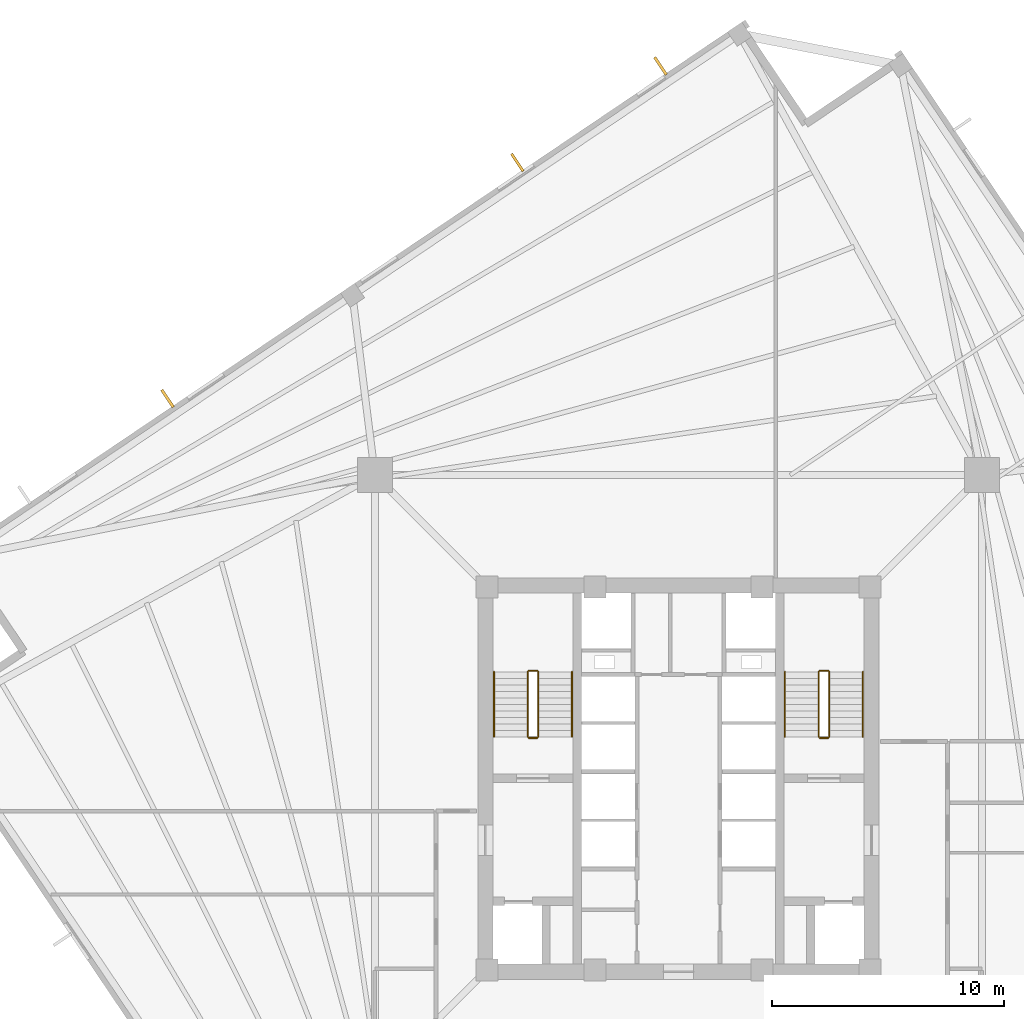
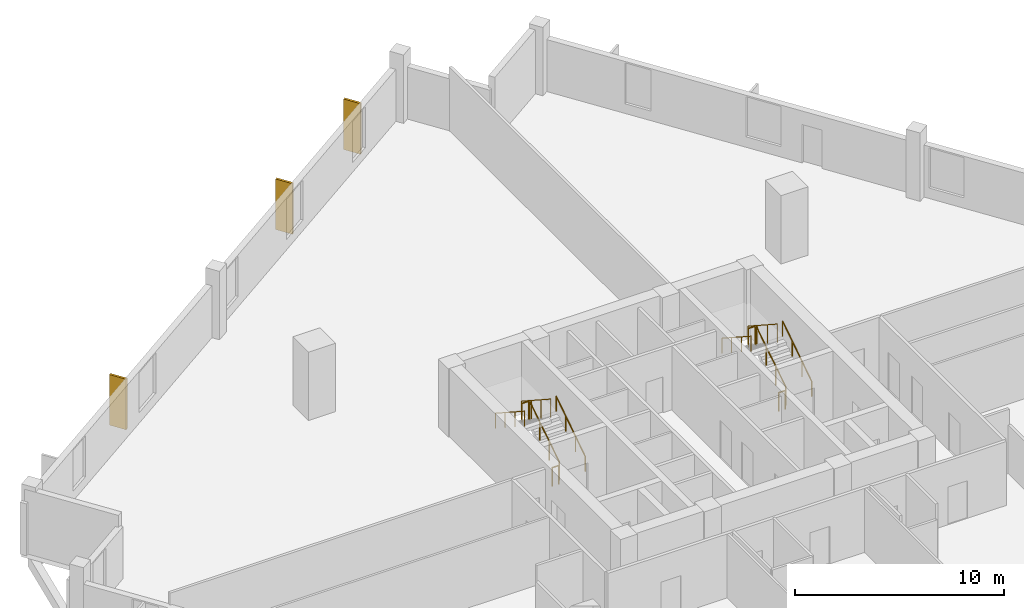
# One storey, part 8 of 9: 12 railings, 3 coverings.
"""IFC4 building model written with IfcOpenShell, lengths in metres."""

from ifc_helpers import new_model, si_unit, direction, frame, origin, origin_2d, place, context, subcontext, project, spatial, rectangle, circle, extrude, source, transform, mapped, material, layer, layer_set, type_object, element, save


model = new_model("IFC4")

# Units and contexts
model_context = context("Model", 3, precision=1e-05, world=origin(), true_north=direction((0.0, 1.0)))
body_context = subcontext(model_context, "Body", "Model", "MODEL_VIEW")
ifc_project = project(units=[si_unit("LENGTHUNIT", "METRE"), si_unit("AREAUNIT", "SQUARE_METRE"), si_unit("VOLUMEUNIT", "CUBIC_METRE"), si_unit("PLANEANGLEUNIT", "RADIAN"), si_unit("MASSUNIT", "GRAM", prefix="KILO"), si_unit("THERMODYNAMICTEMPERATUREUNIT", "KELVIN")], contexts=[model_context])

# Site, building, storey
site_placement = place(None, origin())
site = spatial("IfcSite", under=ifc_project, at=site_placement, CompositionType="ELEMENT")
building_placement = place(site_placement, origin())
building = spatial("IfcBuilding", under=site, at=building_placement, Name="Kosmvard Interchange Tower", CompositionType="ELEMENT")
storey_placement = place(building_placement, frame((0.0, 0.0, 168.39990234375)))
storey = spatial("IfcBuildingStorey", under=building, at=storey_placement, Name="L40", CompositionType="ELEMENT", Elevation=168.39990234375)

# Coverings
ifc_material_1 = material(Name="Architectural anodised aluminium", Category="aluminium")
ifc_layer = layer(ifc_material_1, 0.1201171875, Name="Architectural anodised aluminium")
ifc_layer_set = layer_set([ifc_layer], Name="Architectural anodised aluminium")
covering_type = type_object("IfcCoveringType", Name="Rotating Vertical Sun-Breaker Fin 900x120 Aluminium", PredefinedType="CLADDING", material=ifc_layer_set)
shared_shape_1 = source(origin(), body_context, "Body", "SweptSolid", [
    extrude(rectangle(XDim=0.89990234375, YDim=0.1201171875, at=origin_2d()), origin(), (0.0, 0.0, 1.0), 2.9599609375),
])
for number, where, z_axis, x_axis, name in (
    (1, (-0.774169921875, 30.718994140625, 0.0400390625), (0.0, 0.0, 1.0), (-0.555860436814, 0.831275631055, 0.0), "L40 Rotating Vertical Sun-Breaker Fin 09"),
    (2, (-6.943115234375, 26.557861328125, 0.0400390625), (0.0, 0.0, 1.0), (-0.555860436814, 0.831275631055, 0.0), "L40 Rotating Vertical Sun-Breaker Fin 10"),
    (3, (-22.02294921875, 16.38623046875, 0.0400390625), (0.0, 0.0, 1.0), (-0.555860436814, 0.831275631055, 0.0), "L40 Rotating Vertical Sun-Breaker Fin 11"),
):
    element("IfcCovering", number, at=place(storey_placement, frame(where, z_axis=z_axis, x_axis=x_axis)), inside=storey, type_object=covering_type, Name=name, PredefinedType="CLADDING", context=body_context, shape_type="MappedRepresentation", body=[
        mapped(shared_shape_1, transform((0.0, 0.0, 0.0), scale=1.0)),
    ])

# Railings
ifc_material_2 = material(Name="Steel S355", Category="steel")
railing_type_1 = type_object("IfcRailingType", Name="Stair & Terrace Safety Guardrail 1100 Steel", PredefinedType="GUARDRAIL", material=ifc_material_2)
shared_shape_2 = source(origin(), body_context, "Body", "SweptSolid", [
    extrude(circle(Radius=0.02392578125, at=origin_2d()), frame((0.0, 0.0, 1.076171875), z_axis=(-1.0, 0.0, 0.0), x_axis=(0.0, -1.0, 0.0)), (0.0, 0.0, 1.0), 0.35986328125),
    extrude(circle(Radius=0.02099609375, at=origin_2d()), origin(), (0.0, 0.0, 1.0), 1.052001953125),
    extrude(circle(Radius=0.02099609375, at=origin_2d()), frame((-0.35986328125, 0.0, 0.0)), (0.0, 0.0, 1.0), 1.052001953125),
])
for number, where, name in (
    (4, (-6.090087890625, 4.64990234375, 2.0), "L40 ST-1 stair guard 2"),
    (5, (-6.090087890625, 1.75, 0.0), "L40 ST-1 stair guard 4"),
    (6, (6.449951171875, 4.64990234375, 2.0), "L40 ST-2 stair guard 2"),
    (7, (6.449951171875, 1.75, 0.0), "L40 ST-2 stair guard 4"),
):
    element("IfcRailing", number, at=place(storey_placement, frame(where)), inside=storey, type_object=railing_type_1, Name=name, PredefinedType="GUARDRAIL", context=body_context, shape_type="MappedRepresentation", body=[
        mapped(shared_shape_2, transform((0.0, 0.0, 0.0), scale=1.0)),
    ])
shared_shape_3 = source(origin(), body_context, "Body", "SweptSolid", [
    extrude(circle(Radius=0.02392578125, at=origin_2d()), frame((0.0, 0.0, 1.076171875), z_axis=(0.0, 0.838705829183, 0.544584733623), x_axis=(-1.0, 0.0, 0.0)), (0.0, 0.0, 1.0), 3.338623046875),
    extrude(circle(Radius=0.02099609375, at=origin_2d()), origin(), (0.0, 0.0, 1.0), 1.052001953125),
    extrude(circle(Radius=0.02099609375, at=origin_2d()), frame((0.0, 0.933349609375, 0.60595703125)), (0.0, 0.0, 1.0), 1.052001953125),
    extrude(circle(Radius=0.02099609375, at=origin_2d()), frame((0.0, 1.86669921875, 1.212158203125)), (0.0, 0.0, 1.0), 1.052001953125),
    extrude(circle(Radius=0.02099609375, at=origin_2d()), frame((0.0, 2.800048828125, 1.818115234375)), (0.0, 0.0, 1.0), 1.052001953125),
])
for number, where, name in (
    (8, (-6.0400390625, 1.800048828125, 0.181884765625), "L40 ST-1 stair guard 1"),
    (9, (6.5, 1.800048828125, 0.181884765625), "L40 ST-2 stair guard 1"),
):
    element("IfcRailing", number, at=place(storey_placement, frame(where)), inside=storey, type_object=railing_type_1, Name=name, PredefinedType="GUARDRAIL", context=body_context, shape_type="MappedRepresentation", body=[
        mapped(shared_shape_3, transform((0.0, 0.0, 0.0), scale=1.0)),
    ])
shared_shape_4 = source(origin(), body_context, "Body", "SweptSolid", [
    extrude(circle(Radius=0.02392578125, at=origin_2d()), frame((0.0, 0.0, 1.076171875), z_axis=(0.0, -0.838705829183, 0.544584733623), x_axis=(1.0, 0.0, 0.0)), (0.0, 0.0, 1.0), 3.338623046875),
    extrude(circle(Radius=0.02099609375, at=origin_2d()), origin(), (0.0, 0.0, 1.0), 1.052001953125),
    extrude(circle(Radius=0.02099609375, at=origin_2d()), frame((0.0, -0.933349609375, 0.60595703125)), (0.0, 0.0, 1.0), 1.052001953125),
    extrude(circle(Radius=0.02099609375, at=origin_2d()), frame((0.0, -1.86669921875, 1.212158203125)), (0.0, 0.0, 1.0), 1.052001953125),
    extrude(circle(Radius=0.02099609375, at=origin_2d()), frame((0.0, -2.800048828125, 1.818115234375)), (0.0, 0.0, 1.0), 1.052001953125),
])
for number, where, name in (
    (10, (-6.5, 4.60009765625, 2.181884765625), "L40 ST-1 stair guard 3"),
    (11, (6.0400390625, 4.60009765625, 2.181884765625), "L40 ST-2 stair guard 3"),
):
    element("IfcRailing", number, at=place(storey_placement, frame(where)), inside=storey, type_object=railing_type_1, Name=name, PredefinedType="GUARDRAIL", context=body_context, shape_type="MappedRepresentation", body=[
        mapped(shared_shape_4, transform((0.0, 0.0, 0.0), scale=1.0)),
    ])
railing_type_2 = type_object("IfcRailingType", Name="Wall-Mounted Stair Handrail 900 Steel", PredefinedType="HANDRAIL", material=ifc_material_2)
shared_shape_5 = source(origin(), body_context, "Body", "SweptSolid", [
    extrude(circle(Radius=0.02392578125, at=origin_2d()), frame((0.0, 0.0, 0.8759765625), z_axis=(0.0, 0.838705829183, 0.544584733623), x_axis=(-1.0, 0.0, 0.0)), (0.0, 0.0, 1.0), 3.338623046875),
    extrude(circle(Radius=0.02099609375, at=origin_2d()), origin(), (0.0, 0.0, 1.0), 0.851806640625),
    extrude(circle(Radius=0.02099609375, at=origin_2d()), frame((0.0, 0.933349609375, 0.60595703125)), (0.0, 0.0, 1.0), 0.851806640625),
    extrude(circle(Radius=0.02099609375, at=origin_2d()), frame((0.0, 1.86669921875, 1.212158203125)), (0.0, 0.0, 1.0), 0.851806640625),
    extrude(circle(Radius=0.02099609375, at=origin_2d()), frame((0.0, 2.800048828125, 1.818115234375)), (0.0, 0.0, 1.0), 0.851806640625),
])
for number, where, name in (
    (12, (-4.590087890625, 1.800048828125, 0.181884765625), "L40 ST-1 stair handrail 1"),
    (13, (7.949951171875, 1.800048828125, 0.181884765625), "L40 ST-2 stair handrail 1"),
):
    element("IfcRailing", number, at=place(storey_placement, frame(where)), inside=storey, type_object=railing_type_2, Name=name, PredefinedType="HANDRAIL", context=body_context, shape_type="MappedRepresentation", body=[
        mapped(shared_shape_5, transform((0.0, 0.0, 0.0), scale=1.0)),
    ])
shared_shape_6 = source(origin(), body_context, "Body", "SweptSolid", [
    extrude(circle(Radius=0.02392578125, at=origin_2d()), frame((0.0, 0.0, 0.8759765625), z_axis=(0.0, -0.838705829183, 0.544584733623), x_axis=(1.0, 0.0, 0.0)), (0.0, 0.0, 1.0), 3.338623046875),
    extrude(circle(Radius=0.02099609375, at=origin_2d()), origin(), (0.0, 0.0, 1.0), 0.851806640625),
    extrude(circle(Radius=0.02099609375, at=origin_2d()), frame((0.0, -0.933349609375, 0.60595703125)), (0.0, 0.0, 1.0), 0.851806640625),
    extrude(circle(Radius=0.02099609375, at=origin_2d()), frame((0.0, -1.86669921875, 1.212158203125)), (0.0, 0.0, 1.0), 0.851806640625),
    extrude(circle(Radius=0.02099609375, at=origin_2d()), frame((0.0, -2.800048828125, 1.818115234375)), (0.0, 0.0, 1.0), 0.851806640625),
])
for number, where, name in (
    (14, (-7.949951171875, 4.60009765625, 2.181884765625), "L40 ST-1 stair handrail 2"),
    (15, (4.590087890625, 4.60009765625, 2.181884765625), "L40 ST-2 stair handrail 2"),
):
    element("IfcRailing", number, at=place(storey_placement, frame(where)), inside=storey, type_object=railing_type_2, Name=name, PredefinedType="HANDRAIL", context=body_context, shape_type="MappedRepresentation", body=[
        mapped(shared_shape_6, transform((0.0, 0.0, 0.0), scale=1.0)),
    ])

save(model, "model.ifc")
